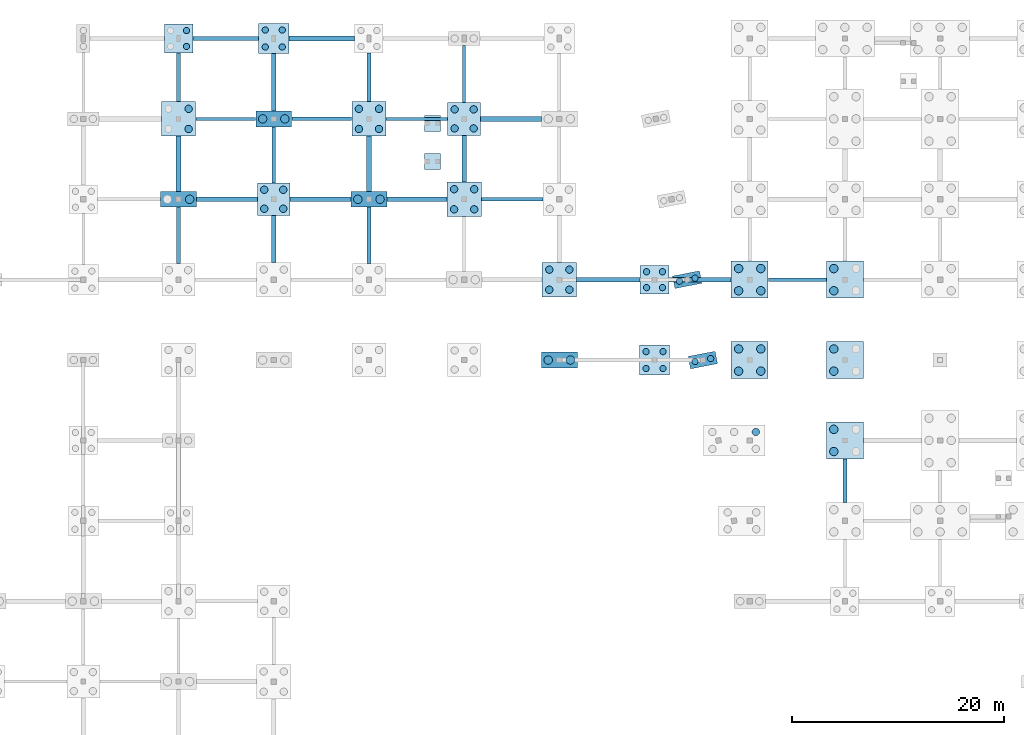
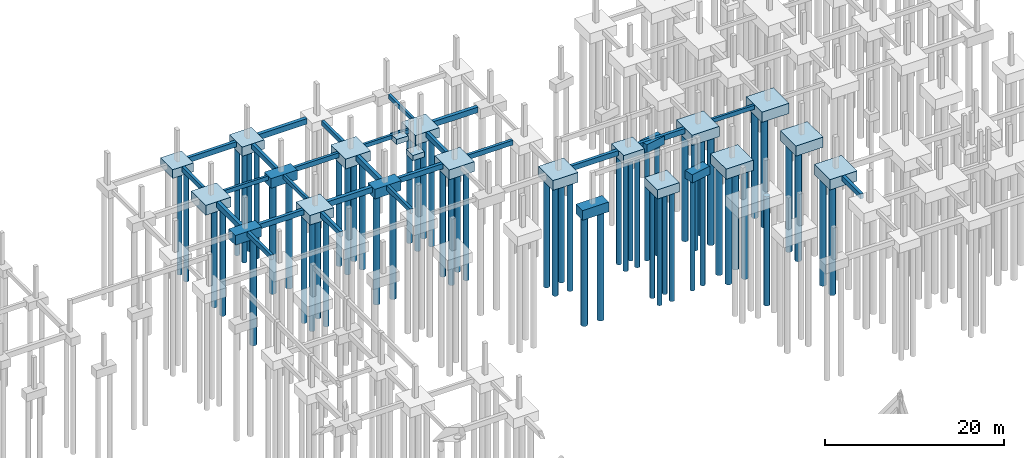
# One storey, part 8 of 28: 62 piles, 48 footings.
"""IFC4 building model written with IfcOpenShell, lengths in metres."""

import ifcopenshell
import ifcopenshell.guid

model = None  # the IFC model being written
_history = None  # IfcOwnerHistory: only IFC2X3 demands one
_inside = {}  # id of a spatial element -> (the spatial element, [elements in it])
_under = {}  # id of a project, library or spatial element -> (it, [spatial elements below it])
_declared = {}  # id of a project -> (the project, [libraries it declares])
_typed = {}  # id of a type object -> (the type object, [elements of that type])
_made_of = {}  # id of a material, layer set ... -> (it, [elements and type objects made of it])


def new_model(schema):
    """Start an empty IFC model of exactly this schema.

    Asked for "IFC4X3", IfcOpenShell would pick the latest addendum, in which some entities
    have other attributes; the version numbers below select the first issue.
    IFC2X3 requires an IfcOwnerHistory on every rooted entity: one is made here for all.
    """
    global model, _history
    if schema == "IFC4X3":
        model = ifcopenshell.file(schema_version=(4, 3, 0, 0))
    else:
        model = ifcopenshell.file(schema=schema)
    _inside.clear()
    _under.clear()
    _declared.clear()
    _typed.clear()
    _made_of.clear()
    _history = None
    if model.schema == "IFC2X3":
        org = make("IfcOrganization", Name="unknown")
        user = make(
            "IfcPersonAndOrganization",
            ThePerson=make("IfcPerson", FamilyName="unknown"),
            TheOrganization=org,
        )
        app = make(
            "IfcApplication",
            ApplicationDeveloper=org,
            Version="unknown",
            ApplicationFullName="unknown",
            ApplicationIdentifier="unknown",
        )
        _history = make(
            "IfcOwnerHistory",
            OwningUser=user,
            OwningApplication=app,
            ChangeAction="ADDED",
            CreationDate=0,
        )
    return model


def make(cls, **values):
    """One entity of the class cls with the attributes given. An attribute that is None is left unset."""
    return model.create_entity(
        cls, **{name: value for name, value in values.items() if value is not None}
    )


def rooted(cls, **values):
    """An entity with a GlobalId (a new one), such as an element, a storey or a relation."""
    return make(cls, GlobalId=ifcopenshell.guid.new(), OwnerHistory=_history, **values)


def si_unit(unit_type, name, prefix=None):
    """IfcSIUnit, for example si_unit("LENGTHUNIT", "METRE", prefix="MILLI")."""
    return make("IfcSIUnit", UnitType=unit_type, Prefix=prefix, Name=name)


def assignment(units):
    """IfcUnitAssignment: the units of a project."""
    return None if units is None else make("IfcUnitAssignment", Units=units)


def point(xyz):
    """IfcCartesianPoint."""
    return None if xyz is None else make("IfcCartesianPoint", Coordinates=xyz)


def direction(xyz):
    """IfcDirection."""
    return None if xyz is None else make("IfcDirection", DirectionRatios=xyz)


def frame(location, z_axis=None, x_axis=None):
    """IfcAxis2Placement3D, a coordinate frame: its origin and axes. An axis left out is left unset."""
    return make(
        "IfcAxis2Placement3D",
        Location=point(location),
        Axis=direction(z_axis),
        RefDirection=direction(x_axis),
    )


def frame_2d(location, x_axis=None):
    """IfcAxis2Placement2D, a coordinate frame in the plane: its origin and x axis."""
    return make(
        "IfcAxis2Placement2D", Location=point(location), RefDirection=direction(x_axis)
    )


def origin():
    """The frame at (0, 0, 0) with its axes left unset."""
    return frame((0.0, 0.0, 0.0))


def origin_2d():
    """The frame at (0, 0) in the plane with its x axis left unset."""
    return frame_2d((0.0, 0.0))


def place(relative_to, where):
    """IfcLocalPlacement: puts the frame where relative to a parent placement (None: the world)."""
    return make(
        "IfcLocalPlacement", PlacementRelTo=relative_to, RelativePlacement=where
    )


def context(
    kind, dimensions, precision=None, world=None, true_north=None, identifier=None
):
    """IfcGeometricRepresentationContext, for example the 3D "Model" context."""
    return make(
        "IfcGeometricRepresentationContext",
        ContextIdentifier=identifier,
        ContextType=kind,
        CoordinateSpaceDimension=dimensions,
        Precision=precision,
        WorldCoordinateSystem=world,
        TrueNorth=true_north,
    )


def subcontext(parent, identifier, kind, view, scale=None):
    """IfcGeometricRepresentationSubContext, for example "Body" below "Model"."""
    return make(
        "IfcGeometricRepresentationSubContext",
        ContextIdentifier=identifier,
        ContextType=kind,
        ParentContext=parent,
        TargetScale=scale,
        TargetView=view,
    )


def project(units=None, contexts=None):
    """IfcProject with its units and contexts."""
    return rooted(
        "IfcProject",
        Name="project",
        RepresentationContexts=contexts,
        UnitsInContext=assignment(units),
    )


def spatial(cls, under=None, at=None, **own):
    """A site, building, storey or space (cls), placed at a placement, below another one or the project."""
    s = rooted(cls, ObjectPlacement=at, **own)
    if under is not None:
        _under.setdefault(under.id(), (under, []))[1].append(s)
    return s


def profile(cls, at=None, kind="AREA", **sizes):
    """A parametric profile (cls). Its sizes go by their IFC names, for example OverallWidth=200.0."""
    return make(cls, ProfileType=kind, Position=at, **sizes)


def rectangle(**sizes):
    """IfcRectangleProfileDef."""
    return profile("IfcRectangleProfileDef", **sizes)


def circle(**sizes):
    """IfcCircleProfileDef."""
    return profile("IfcCircleProfileDef", **sizes)


def extrude(swept, where, along, depth):
    """IfcExtrudedAreaSolid: the profile swept, set in the frame where, extruded along a direction by depth."""
    return make(
        "IfcExtrudedAreaSolid",
        SweptArea=swept,
        Position=where,
        ExtrudedDirection=direction(along),
        Depth=depth,
    )


def shape(context_of_items, identifier, shape_type, items):
    """IfcShapeRepresentation: the items that make up one representation, for example the "Body"."""
    return make(
        "IfcShapeRepresentation",
        ContextOfItems=context_of_items,
        RepresentationIdentifier=identifier,
        RepresentationType=shape_type,
        Items=items,
    )


def material(Name=None, Category=None):
    """IfcMaterial."""
    return make("IfcMaterial", Name=Name, Category=Category)


def layer(
    of_material, thickness, ventilated=None, Name=None, Category=None, Priority=None
):
    """IfcMaterialLayer: one layer of a wall or slab, of a material (None: an air gap)."""
    return make(
        "IfcMaterialLayer",
        Material=of_material,
        LayerThickness=thickness,
        IsVentilated=ventilated,
        Name=Name,
        Category=Category,
        Priority=Priority,
    )


def layer_set(layers, Name=None):
    """IfcMaterialLayerSet."""
    return make("IfcMaterialLayerSet", MaterialLayers=layers, LayerSetName=Name)


def material_profile(
    of_material, cross_section, Name=None, Category=None, Priority=None
):
    """IfcMaterialProfile: a cross section and its material."""
    return make(
        "IfcMaterialProfile",
        Name=Name,
        Material=of_material,
        Profile=cross_section,
        Priority=Priority,
        Category=Category,
    )


def profile_set(profiles, Name=None, composite=None):
    """IfcMaterialProfileSet."""
    return make(
        "IfcMaterialProfileSet",
        Name=Name,
        MaterialProfiles=profiles,
        CompositeProfile=composite,
    )


def made_of(thing, what):
    """Note that an element or type object is made of a material, layer set ...; save() writes the relation."""
    if what is not None:
        _made_of.setdefault(what.id(), (what, []))[1].append(thing)
    return thing


def type_object(cls, material=None, **own):
    """A type object (cls), such as IfcWallType, which elements share."""
    return made_of(rooted(cls, **own), material)


def element(
    cls,
    number,
    at=None,
    inside=None,
    cuts=None,
    type_object=None,
    material=None,
    context=None,
    identifier="Body",
    shape_type=None,
    held_by="IfcProductDefinitionShape",
    body=None,
    shapes=None,
    **own,
):
    """One element of the class cls, such as IfcWall. Its Tag is "e" and its number.

    at: its placement. inside: the storey or other place that contains it. cuts: it is an
    opening in that element (IfcRelVoidsElement). A single representation is given by context,
    identifier, shape_type and body (its items); several are given by shapes. held_by: the class
    of the entity that holds the representations. save() writes the other relations.
    """
    e = rooted(cls, Tag="e%d" % number, ObjectPlacement=at, **own)
    if body is not None:
        shapes = [shape(context, identifier, shape_type, body)]
    if shapes is not None:
        e.Representation = make(held_by, Representations=shapes)
    if inside is not None:
        _inside.setdefault(inside.id(), (inside, []))[1].append(e)
    if cuts is not None:
        rooted(
            "IfcRelVoidsElement", RelatingBuildingElement=cuts, RelatedOpeningElement=e
        )
    if type_object is not None:
        _typed.setdefault(type_object.id(), (type_object, []))[1].append(e)
    return made_of(e, material)


def aggregate(whole, parts):
    """IfcRelAggregates: a whole, such as a stair, and the parts it consists of."""
    return rooted("IfcRelAggregates", RelatingObject=whole, RelatedObjects=parts)


def save(model, path):
    """Write the relations noted so far, then the file.

    IfcRelAggregates (storeys below a building ...), IfcRelContainedInSpatialStructure (elements
    in a storey), IfcRelDefinesByType, IfcRelAssociatesMaterial and IfcRelDeclares: one each for
    every whole, place, type object, material and project.
    """
    for whole, parts in _under.values():
        aggregate(whole, parts)
    for where, things in _inside.values():
        rooted(
            "IfcRelContainedInSpatialStructure",
            RelatedElements=things,
            RelatingStructure=where,
        )
    for kind, things in _typed.values():
        rooted("IfcRelDefinesByType", RelatedObjects=things, RelatingType=kind)
    for what, things in _made_of.values():
        rooted("IfcRelAssociatesMaterial", RelatedObjects=things, RelatingMaterial=what)
    for by, libraries in _declared.values():
        rooted("IfcRelDeclares", RelatingContext=by, RelatedDefinitions=libraries)
    model.write(path)


model = new_model("IFC4")

# Units and contexts
model_context = context("Model", 3, precision=1e-05, world=origin(), true_north=direction((0.0, 1.0)))
body_context = subcontext(model_context, "Body", "Model", "MODEL_VIEW")
ifc_project = project(units=[si_unit("LENGTHUNIT", "METRE"), si_unit("AREAUNIT", "SQUARE_METRE"), si_unit("VOLUMEUNIT", "CUBIC_METRE"), si_unit("PLANEANGLEUNIT", "RADIAN"), si_unit("MASSUNIT", "GRAM", prefix="KILO")], contexts=[model_context])

# Site, building, storey
site_placement = place(None, origin())
site = spatial("IfcSite", under=ifc_project, at=site_placement, CompositionType="ELEMENT")
building_placement = place(site_placement, origin())
building = spatial("IfcBuilding", under=site, at=building_placement, Name="Caisbarro Railhouse Central Library", CompositionType="ELEMENT")
storey_placement = place(building_placement, frame((0.0, 0.0, -4.320068359375)))
storey = spatial("IfcBuildingStorey", under=building, at=storey_placement, Name="B01", CompositionType="ELEMENT", Elevation=-4.320068359375)

# Footings
ifc_material_1 = material(Name="Concrete C35", Category="concrete")
footing_type_1 = type_object("IfcFootingType", Name="FTG-FB01", PredefinedType="FOOTING_BEAM", material=ifc_material_1)
footing_1_placement = place(storey_placement, frame((63.0, 95.39990234375, -0.64990234375), z_axis=(0.0, 0.0, 1.0), x_axis=(0.0, 1.0, 0.0)))
element("IfcFooting", 1, at=footing_1_placement, inside=storey, type_object=footing_type_1, Name="FB01 ground tie beam 156", PredefinedType="FOOTING_BEAM", context=body_context, shape_type="SweptSolid", body=[
    extrude(rectangle(XDim=5.2958984375, YDim=0.35009765625, at=origin_2d()), origin(), (0.0, 0.0, 1.0), 0.64990234375),
])
footing_2_placement = place(storey_placement, frame((63.0, 110.33740234375, -0.64990234375), z_axis=(0.0, 0.0, 1.0), x_axis=(0.0, 1.0, 0.0)))
element("IfcFooting", 2, at=footing_2_placement, inside=storey, type_object=footing_type_1, Name="FB01 ground tie beam 160", PredefinedType="FOOTING_BEAM", context=body_context, shape_type="SweptSolid", body=[
    extrude(rectangle(XDim=4.62109375, YDim=0.35009765625, at=origin_2d()), origin(), (0.0, 0.0, 1.0), 0.64990234375),
])
footing_3_placement = place(storey_placement, frame((76.53759765625, 106.39990234375, -0.64990234375), z_axis=(0.0, 0.0, 1.0), x_axis=(1.0, 0.0, 0.0)))
element("IfcFooting", 3, at=footing_3_placement, inside=storey, type_object=footing_type_1, Name="FB01 ground tie beam 168", PredefinedType="FOOTING_BEAM", context=body_context, shape_type="SweptSolid", body=[
    extrude(rectangle(XDim=5.6708984375, YDim=0.35009765625, at=origin_2d()), origin(), (0.0, 0.0, 1.0), 0.64990234375),
])
footing_4_placement = place(storey_placement, frame((81.0, 95.39990234375, -0.64990234375), z_axis=(0.0, 0.0, 1.0), x_axis=(0.0, 1.0, 0.0)))
element("IfcFooting", 4, at=footing_4_placement, inside=storey, type_object=footing_type_1, Name="FB01 ground tie beam 172", PredefinedType="FOOTING_BEAM", context=body_context, shape_type="SweptSolid", body=[
    extrude(rectangle(XDim=5.2958984375, YDim=0.35009765625, at=origin_2d()), origin(), (0.0, 0.0, 1.0), 0.64990234375),
])
footing_5_placement = place(storey_placement, frame((81.0, 110.33740234375, -0.64990234375), z_axis=(0.0, 0.0, 1.0), x_axis=(0.0, 1.0, 0.0)))
element("IfcFooting", 5, at=footing_5_placement, inside=storey, type_object=footing_type_1, Name="FB01 ground tie beam 176", PredefinedType="FOOTING_BEAM", context=body_context, shape_type="SweptSolid", body=[
    extrude(rectangle(XDim=4.62109375, YDim=0.35009765625, at=origin_2d()), origin(), (0.0, 0.0, 1.0), 0.64990234375),
])
footing_6_placement = place(storey_placement, frame((94.53759765625, 98.800048828125, -0.64990234375), z_axis=(0.0, 0.0, 1.0), x_axis=(1.0, 0.0, 0.0)))
element("IfcFooting", 6, at=footing_6_placement, inside=storey, type_object=footing_type_1, Name="FB01 ground tie beam 180", PredefinedType="FOOTING_BEAM", context=body_context, shape_type="SweptSolid", body=[
    extrude(rectangle(XDim=5.821044921875, YDim=0.35009765625, at=origin_2d()), origin(), (0.0, 0.0, 1.0), 0.64990234375),
])
footing_type_2 = type_object("IfcFootingType", Name="FTG-FB02", PredefinedType="FOOTING_BEAM", material=ifc_material_1)
footing_7_placement = place(storey_placement, frame((67.574951171875, 98.800048828125, -0.69970703125), z_axis=(0.0, 0.0, 1.0), x_axis=(1.0, 0.0, 0.0)))
element("IfcFooting", 7, at=footing_7_placement, inside=storey, type_object=footing_type_2, Name="FB02 ground tie beam 157", PredefinedType="FOOTING_BEAM", context=body_context, shape_type="SweptSolid", body=[
    extrude(rectangle(XDim=5.74609375, YDim=0.39990234375, at=origin_2d()), origin(), (0.0, 0.0, 1.0), 0.699951171875),
])
footing_8_placement = place(storey_placement, frame((67.46240234375, 114.0, -0.69970703125), z_axis=(0.0, 0.0, 1.0), x_axis=(1.0, 0.0, 0.0)))
element("IfcFooting", 8, at=footing_8_placement, inside=storey, type_object=footing_type_2, Name="FB02 ground tie beam 161", PredefinedType="FOOTING_BEAM", context=body_context, shape_type="SweptSolid", body=[
    extrude(rectangle(XDim=6.220947265625, YDim=0.39990234375, at=origin_2d()), origin(), (0.0, 0.0, 1.0), 0.699951171875),
])
footing_9_placement = place(storey_placement, frame((72.0, 95.03759765625, -0.69970703125), z_axis=(0.0, 0.0, 1.0), x_axis=(0.0, 1.0, 0.0)))
element("IfcFooting", 9, at=footing_9_placement, inside=storey, type_object=footing_type_2, Name="FB02 ground tie beam 165", PredefinedType="FOOTING_BEAM", context=body_context, shape_type="SweptSolid", body=[
    extrude(rectangle(XDim=4.4208984375, YDim=0.39990234375, at=origin_2d()), origin(), (0.0, 0.0, 1.0), 0.699951171875),
])
footing_10_placement = place(storey_placement, frame((72.0, 109.862548828125, -0.69970703125), z_axis=(0.0, 0.0, 1.0), x_axis=(0.0, 1.0, 0.0)))
element("IfcFooting", 10, at=footing_10_placement, inside=storey, type_object=footing_type_2, Name="FB02 ground tie beam 169", PredefinedType="FOOTING_BEAM", context=body_context, shape_type="SweptSolid", body=[
    extrude(rectangle(XDim=5.4208984375, YDim=0.39990234375, at=origin_2d()), origin(), (0.0, 0.0, 1.0), 0.699951171875),
])
footing_11_placement = place(storey_placement, frame((85.53759765625, 98.800048828125, -0.69970703125), z_axis=(0.0, 0.0, 1.0), x_axis=(1.0, 0.0, 0.0)))
element("IfcFooting", 11, at=footing_11_placement, inside=storey, type_object=footing_type_2, Name="FB02 ground tie beam 173", PredefinedType="FOOTING_BEAM", context=body_context, shape_type="SweptSolid", body=[
    extrude(rectangle(XDim=5.6708984375, YDim=0.39990234375, at=origin_2d()), origin(), (0.0, 0.0, 1.0), 0.699951171875),
])
footing_12_placement = place(storey_placement, frame((90.0, 102.637451171875, -0.69970703125), z_axis=(0.0, 0.0, 1.0), x_axis=(0.0, 1.0, 0.0)))
element("IfcFooting", 12, at=footing_12_placement, inside=storey, type_object=footing_type_2, Name="FB02 ground tie beam 181", PredefinedType="FOOTING_BEAM", context=body_context, shape_type="SweptSolid", body=[
    extrude(rectangle(XDim=4.4208984375, YDim=0.39990234375, at=origin_2d()), origin(), (0.0, 0.0, 1.0), 0.699951171875),
])
footing_13_placement = place(storey_placement, frame((103.637451171875, 91.199951171875, -0.69970703125), z_axis=(0.0, 0.0, 1.0), x_axis=(1.0, 0.0, 0.0)))
element("IfcFooting", 13, at=footing_13_placement, inside=storey, type_object=footing_type_2, Name="FB02 ground tie beam 185", PredefinedType="FOOTING_BEAM", context=body_context, shape_type="SweptSolid", body=[
    extrude(rectangle(XDim=6.02099609375, YDim=0.39990234375, at=origin_2d()), origin(), (0.0, 0.0, 1.0), 0.699951171875),
])
footing_14_placement = place(storey_placement, frame((112.300048828125, 91.199951171875, -0.69970703125), z_axis=(0.0, 0.0, 1.0), x_axis=(1.0, 0.0, 0.0)))
element("IfcFooting", 14, at=footing_14_placement, inside=storey, type_object=footing_type_2, Name="FB02 ground tie beam 189", PredefinedType="FOOTING_BEAM", context=body_context, shape_type="SweptSolid", body=[
    extrude(rectangle(XDim=5.89599609375, YDim=0.39990234375, at=origin_2d()), origin(), (0.0, 0.0, 1.0), 0.699951171875),
])
footing_15_placement = place(storey_placement, frame((126.0, 72.199951171875, -0.69970703125), z_axis=(0.0, 0.0, 1.0), x_axis=(0.0, 1.0, 0.0)))
element("IfcFooting", 15, at=footing_15_placement, inside=storey, type_object=footing_type_2, Name="FB02 ground tie beam 201", PredefinedType="FOOTING_BEAM", context=body_context, shape_type="SweptSolid", body=[
    extrude(rectangle(XDim=4.095947265625, YDim=0.39990234375, at=origin_2d()), origin(), (0.0, 0.0, 1.0), 0.699951171875),
])
footing_type_3 = type_object("IfcFootingType", Name="FTG-FB03", PredefinedType="FOOTING_BEAM", material=ifc_material_1)
footing_16_placement = place(storey_placement, frame((63.0, 102.16259765625, -0.75), z_axis=(0.0, 0.0, 1.0), x_axis=(0.0, 1.0, 0.0)))
element("IfcFooting", 16, at=footing_16_placement, inside=storey, type_object=footing_type_3, Name="FB03 ground tie beam 158", PredefinedType="FOOTING_BEAM", context=body_context, shape_type="SweptSolid", body=[
    extrude(rectangle(XDim=5.220947265625, YDim=0.449951171875, at=origin_2d()), origin(), (0.0, 0.0, 1.0), 0.75),
])
footing_17_placement = place(storey_placement, frame((76.425048828125, 98.800048828125, -0.75), z_axis=(0.0, 0.0, 1.0), x_axis=(1.0, 0.0, 0.0)))
element("IfcFooting", 17, at=footing_17_placement, inside=storey, type_object=footing_type_3, Name="FB03 ground tie beam 166", PredefinedType="FOOTING_BEAM", context=body_context, shape_type="SweptSolid", body=[
    extrude(rectangle(XDim=5.74609375, YDim=0.449951171875, at=origin_2d()), origin(), (0.0, 0.0, 1.0), 0.75),
])
footing_18_placement = place(storey_placement, frame((76.53759765625, 114.0, -0.75), z_axis=(0.0, 0.0, 1.0), x_axis=(1.0, 0.0, 0.0)))
element("IfcFooting", 18, at=footing_18_placement, inside=storey, type_object=footing_type_3, Name="FB03 ground tie beam 170", PredefinedType="FOOTING_BEAM", context=body_context, shape_type="SweptSolid", body=[
    extrude(rectangle(XDim=6.220947265625, YDim=0.449951171875, at=origin_2d()), origin(), (0.0, 0.0, 1.0), 0.75),
])
footing_19_placement = place(storey_placement, frame((81.0, 102.16259765625, -0.75), z_axis=(0.0, 0.0, 1.0), x_axis=(0.0, 1.0, 0.0)))
element("IfcFooting", 19, at=footing_19_placement, inside=storey, type_object=footing_type_3, Name="FB03 ground tie beam 174", PredefinedType="FOOTING_BEAM", context=body_context, shape_type="SweptSolid", body=[
    extrude(rectangle(XDim=5.220947265625, YDim=0.449951171875, at=origin_2d()), origin(), (0.0, 0.0, 1.0), 0.75),
])
footing_20_placement = place(storey_placement, frame((94.425048828125, 106.39990234375, -0.75), z_axis=(0.0, 0.0, 1.0), x_axis=(1.0, 0.0, 0.0)))
element("IfcFooting", 20, at=footing_20_placement, inside=storey, type_object=footing_type_3, Name="FB03 ground tie beam 182", PredefinedType="FOOTING_BEAM", context=body_context, shape_type="SweptSolid", body=[
    extrude(rectangle(XDim=5.74609375, YDim=0.449951171875, at=origin_2d()), origin(), (0.0, 0.0, 1.0), 0.75),
])
footing_type_4 = type_object("IfcFootingType", Name="FTG-FB04", PredefinedType="FOOTING_BEAM", material=ifc_material_1)
footing_21_placement = place(storey_placement, frame((67.46240234375, 106.39990234375, -0.5498046875), z_axis=(0.0, 0.0, 1.0), x_axis=(1.0, 0.0, 0.0)))
element("IfcFooting", 21, at=footing_21_placement, inside=storey, type_object=footing_type_4, Name="FB04 ground tie beam 159", PredefinedType="FOOTING_BEAM", context=body_context, shape_type="SweptSolid", body=[
    extrude(rectangle(XDim=5.6708984375, YDim=0.300048828125, at=origin_2d()), origin(), (0.0, 0.0, 1.0), 0.550048828125),
])
footing_22_placement = place(storey_placement, frame((72.0, 103.0, -0.5498046875), z_axis=(0.0, 0.0, 1.0), x_axis=(0.0, 1.0, 0.0)))
element("IfcFooting", 22, at=footing_22_placement, inside=storey, type_object=footing_type_4, Name="FB04 ground tie beam 167", PredefinedType="FOOTING_BEAM", context=body_context, shape_type="SweptSolid", body=[
    extrude(rectangle(XDim=5.2958984375, YDim=0.300048828125, at=origin_2d()), origin(), (0.0, 0.0, 1.0), 0.550048828125),
])
footing_23_placement = place(storey_placement, frame((85.53759765625, 106.39990234375, -0.5498046875), z_axis=(0.0, 0.0, 1.0), x_axis=(1.0, 0.0, 0.0)))
element("IfcFooting", 23, at=footing_23_placement, inside=storey, type_object=footing_type_4, Name="FB04 ground tie beam 175", PredefinedType="FOOTING_BEAM", context=body_context, shape_type="SweptSolid", body=[
    extrude(rectangle(XDim=5.821044921875, YDim=0.300048828125, at=origin_2d()), origin(), (0.0, 0.0, 1.0), 0.550048828125),
])
footing_24_placement = place(storey_placement, frame((90.0, 110.637451171875, -0.5498046875), z_axis=(0.0, 0.0, 1.0), x_axis=(0.0, 1.0, 0.0)))
element("IfcFooting", 24, at=footing_24_placement, inside=storey, type_object=footing_type_4, Name="FB04 ground tie beam 183", PredefinedType="FOOTING_BEAM", context=body_context, shape_type="SweptSolid", body=[
    extrude(rectangle(XDim=5.37109375, YDim=0.300048828125, at=origin_2d()), origin(), (0.0, 0.0, 1.0), 0.550048828125),
])
footing_25_placement = place(storey_placement, frame((121.5, 91.199951171875, -0.5498046875), z_axis=(0.0, 0.0, 1.0), x_axis=(1.0, 0.0, 0.0)))
element("IfcFooting", 25, at=footing_25_placement, inside=storey, type_object=footing_type_4, Name="FB04 ground tie beam 191", PredefinedType="FOOTING_BEAM", context=body_context, shape_type="SweptSolid", body=[
    extrude(rectangle(XDim=5.49609375, YDim=0.300048828125, at=origin_2d()), origin(), (0.0, 0.0, 1.0), 0.550048828125),
])
ifc_material_2 = material(Name="Concrete C40", Category="concrete")
ifc_layer_1 = layer(ifc_material_2, 1.10009765625, Name="Concrete C40")
ifc_layer_set_1 = layer_set([ifc_layer_1], Name="Concrete C40")
footing_type_5 = type_object("IfcFootingType", Name="FTG-PC02", PredefinedType="PILE_CAP", material=ifc_layer_set_1)
for number, where, z_axis, x_axis, name in (
    (26, (111.091064453125, 91.199951171875, -1.10009765625), (0.0, 0.0, 1.0), (0.981627183448, 0.190808995377, 0.0), "PC02 pile cap (165)"),
    (27, (112.568115234375, 83.60009765625, -1.10009765625), (0.0, 0.0, 1.0), (0.981627183448, 0.190808995377, 0.0), "PC02 pile cap (166)"),
):
    element("IfcFooting", number, at=place(storey_placement, frame(where, z_axis=z_axis, x_axis=x_axis)), inside=storey, type_object=footing_type_5, Name=name, PredefinedType="PILE_CAP", context=body_context, shape_type="SweptSolid", body=[
        extrude(rectangle(XDim=2.60009765625, YDim=1.199951171875, at=origin_2d()), origin(), (0.0, 0.0, 1.0), 1.10009765625),
    ])
ifc_layer_2 = layer(ifc_material_2, 1.199951171875, Name="Concrete C40")
ifc_layer_set_2 = layer_set([ifc_layer_2], Name="Concrete C40")
footing_type_6 = type_object("IfcFootingType", Name="FTG-PC04", PredefinedType="PILE_CAP", material=ifc_layer_set_2)
for number, where, z_axis, x_axis, name in (
    (28, (63.0, 114.0, -1.19970703125), (0.0, 0.0, 1.0), (1.0, 0.0, 0.0), "PC04 pile cap (111)"),
    (29, (108.0, 91.199951171875, -1.19970703125), (0.0, 0.0, 1.0), (1.0, 0.0, 0.0), "PC04 pile cap (162)"),
):
    element("IfcFooting", number, at=place(storey_placement, frame(where, z_axis=z_axis, x_axis=x_axis)), inside=storey, type_object=footing_type_6, Name=name, PredefinedType="PILE_CAP", context=body_context, shape_type="SweptSolid", body=[
        extrude(rectangle(XDim=2.699951171875, YDim=2.699951171875, at=origin_2d()), origin(), (0.0, 0.0, 1.0), 1.199951171875),
    ])
ifc_layer_3 = layer(ifc_material_2, 1.300048828125, Name="Concrete C40")
ifc_layer_set_3 = layer_set([ifc_layer_3], Name="Concrete C40")
footing_type_7 = type_object("IfcFootingType", Name="FTG-PC06", PredefinedType="PILE_CAP", material=ifc_layer_set_3)
for number, where, z_axis, x_axis, name in (
    (30, (72.0, 98.800048828125, -1.2998046875), (0.0, 0.0, 1.0), (1.0, 0.0, 0.0), "PC06 pile cap (123)"),
    (31, (90.0, 106.39990234375, -1.2998046875), (0.0, 0.0, 1.0), (1.0, 0.0, 0.0), "PC06 pile cap (144)"),
):
    element("IfcFooting", number, at=place(storey_placement, frame(where, z_axis=z_axis, x_axis=x_axis)), inside=storey, type_object=footing_type_7, Name=name, PredefinedType="PILE_CAP", context=body_context, shape_type="SweptSolid", body=[
        extrude(rectangle(XDim=3.10009765625, YDim=3.10009765625, at=origin_2d()), origin(), (0.0, 0.0, 1.0), 1.300048828125),
    ])
ifc_layer_4 = layer(ifc_material_2, 1.320068359375, Name="Concrete C40")
ifc_layer_set_4 = layer_set([ifc_layer_4], Name="Concrete C40")
footing_type_8 = type_object("IfcFootingType", Name="FTG-PC07", PredefinedType="PILE_CAP", material=ifc_layer_set_4)
for number, where, z_axis, x_axis, name in (
    (32, (63.0, 98.800048828125, -1.31982421875), (0.0, 0.0, 1.0), (1.0, 0.0, 0.0), "PC07 pile cap (109)"),
    (33, (72.0, 106.39990234375, -1.31982421875), (0.0, 0.0, 1.0), (1.0, 0.0, 0.0), "PC07 pile cap (124)"),
    (34, (81.0, 98.800048828125, -1.31982421875), (0.0, 0.0, 1.0), (1.0, 0.0, 0.0), "PC07 pile cap (133)"),
    (35, (99.0, 83.60009765625, -1.31982421875), (0.0, 0.0, 1.0), (1.0, 0.0, 0.0), "PC07 pile cap (151)"),
):
    element("IfcFooting", number, at=place(storey_placement, frame(where, z_axis=z_axis, x_axis=x_axis)), inside=storey, type_object=footing_type_8, Name=name, PredefinedType="PILE_CAP", context=body_context, shape_type="SweptSolid", body=[
        extrude(rectangle(XDim=3.39990234375, YDim=1.5, at=origin_2d()), origin(), (0.0, 0.0, 1.0), 1.320068359375),
    ])
ifc_layer_5 = layer(ifc_material_2, 1.39990234375, Name="Concrete C40")
ifc_layer_set_5 = layer_set([ifc_layer_5], Name="Concrete C40")
footing_type_9 = type_object("IfcFootingType", Name="FTG-PC08", PredefinedType="PILE_CAP", material=ifc_layer_set_5)
for number, where, z_axis, x_axis, name in (
    (36, (117.0, 83.60009765625, -1.39990234375), (0.0, 0.0, 1.0), (1.0, 0.0, 0.0), "PC08 pile cap (172)"),
    (37, (117.0, 91.199951171875, -1.39990234375), (0.0, 0.0, 1.0), (1.0, 0.0, 0.0), "PC08 pile cap (173)"),
    (38, (126.0, 76.0, -1.39990234375), (0.0, 0.0, 1.0), (1.0, 0.0, 0.0), "PC08 pile cap (179)"),
    (39, (126.0, 83.60009765625, -1.39990234375), (0.0, 0.0, 1.0), (1.0, 0.0, 0.0), "PC08 pile cap (180)"),
    (40, (126.0, 91.199951171875, -1.39990234375), (0.0, 0.0, 1.0), (1.0, 0.0, 0.0), "PC08 pile cap (181)"),
):
    element("IfcFooting", number, at=place(storey_placement, frame(where, z_axis=z_axis, x_axis=x_axis)), inside=storey, type_object=footing_type_9, Name=name, PredefinedType="PILE_CAP", context=body_context, shape_type="SweptSolid", body=[
        extrude(rectangle(XDim=3.5, YDim=3.5, at=origin_2d()), origin(), (0.0, 0.0, 1.0), 1.39990234375),
    ])
ifc_layer_6 = layer(ifc_material_2, 1.25, Name="Concrete C40")
ifc_layer_set_6 = layer_set([ifc_layer_6], Name="Concrete C40")
footing_type_10 = type_object("IfcFootingType", Name="FTG-PC13", PredefinedType="PILE_CAP", material=ifc_layer_set_6)
for number, where, z_axis, x_axis, name in (
    (41, (72.0, 114.0, -1.25), (0.0, 0.0, 1.0), (1.0, 0.0, 0.0), "PC13 pile cap (125)"),
    (42, (108.0, 83.60009765625, -1.25), (0.0, 0.0, 1.0), (1.0, 0.0, 0.0), "PC13 pile cap (161)"),
):
    element("IfcFooting", number, at=place(storey_placement, frame(where, z_axis=z_axis, x_axis=x_axis)), inside=storey, type_object=footing_type_10, Name=name, PredefinedType="PILE_CAP", context=body_context, shape_type="SweptSolid", body=[
        extrude(rectangle(XDim=2.85009765625, YDim=2.85009765625, at=origin_2d()), origin(), (0.0, 0.0, 1.0), 1.25),
    ])
ifc_layer_7 = layer(ifc_material_2, 1.340087890625, Name="Concrete C40")
ifc_layer_set_7 = layer_set([ifc_layer_7], Name="Concrete C40")
footing_type_11 = type_object("IfcFootingType", Name="FTG-PC14", PredefinedType="PILE_CAP", material=ifc_layer_set_7)
for number, where, z_axis, x_axis, name in (
    (43, (63.0, 106.39990234375, -1.33984375), (0.0, 0.0, 1.0), (1.0, 0.0, 0.0), "PC14 pile cap (110)"),
    (44, (81.0, 106.39990234375, -1.33984375), (0.0, 0.0, 1.0), (1.0, 0.0, 0.0), "PC14 pile cap (134)"),
    (45, (90.0, 98.800048828125, -1.33984375), (0.0, 0.0, 1.0), (1.0, 0.0, 0.0), "PC14 pile cap (143)"),
    (46, (99.0, 91.199951171875, -1.33984375), (0.0, 0.0, 1.0), (1.0, 0.0, 0.0), "PC14 pile cap (152)"),
):
    element("IfcFooting", number, at=place(storey_placement, frame(where, z_axis=z_axis, x_axis=x_axis)), inside=storey, type_object=footing_type_11, Name=name, PredefinedType="PILE_CAP", context=body_context, shape_type="SweptSolid", body=[
        extrude(rectangle(XDim=3.25, YDim=3.25, at=origin_2d()), origin(), (0.0, 0.0, 1.0), 1.340087890625),
    ])
ifc_layer_8 = layer(ifc_material_2, 0.699951171875, Name="Concrete C40")
ifc_layer_set_8 = layer_set([ifc_layer_8], Name="Concrete C40")
footing_type_12 = type_object("IfcFootingType", Name="FTG-PF01", PredefinedType="PAD_FOOTING", material=ifc_layer_set_8)
for number, where, z_axis, x_axis, name in (
    (47, (87.0, 102.3701171875, -0.69970703125), (0.0, 0.0, 1.0), (1.0, 0.0, 0.0), "PF01 Stair Support Pad Footing K5 S"),
    (48, (87.0, 105.97998046875, -0.69970703125), (0.0, 0.0, 1.0), (1.0, 0.0, 0.0), "PF01 Stair Support Pad Footing K5 N"),
):
    element("IfcFooting", number, at=place(storey_placement, frame(where, z_axis=z_axis, x_axis=x_axis)), inside=storey, type_object=footing_type_12, Name=name, PredefinedType="PAD_FOOTING", context=body_context, shape_type="SweptSolid", body=[
        extrude(rectangle(XDim=1.5, YDim=1.5, at=origin_2d()), origin(), (0.0, 0.0, 1.0), 0.699951171875),
    ])

# Piles
ifc_material_profile_1 = material_profile(ifc_material_1, circle(Radius=0.300048828125, at=origin_2d()), Name="PILE-CFA-600")
ifc_profile_set_1 = profile_set([ifc_material_profile_1], Name="Concrete C35")
pile_type_1 = type_object("IfcPileType", Name="PILE-CFA600", PredefinedType="BORED", material=ifc_profile_set_1)
for number, where, z_axis, x_axis, name in (
    (49, (63.75, 113.25, -1.099853515625), (0.0, 0.0, -1.0), (1.0, 0.0, 0.0), "PL60 CFA bored pile 111.2"),
    (50, (63.75, 114.75, -1.099853515625), (0.0, 0.0, -1.0), (1.0, 0.0, 0.0), "PL60 CFA bored pile 111.4"),
):
    element("IfcPile", number, at=place(storey_placement, frame(where, z_axis=z_axis, x_axis=x_axis)), inside=storey, type_object=pile_type_1, Name=name, PredefinedType="BORED", context=body_context, shape_type="SweptSolid", body=[
        extrude(circle(Radius=0.300048828125, at=origin_2d()), origin(), (0.0, 0.0, 1.0), 15.080078125),
    ])
for number, where, z_axis, x_axis, name in (
    (51, (71.199951171875, 113.199951171875, -1.14990234375), (0.0, 0.0, -1.0), (1.0, 0.0, 0.0), "PL60 CFA bored pile 125.1"),
    (52, (72.800048828125, 113.199951171875, -1.14990234375), (0.0, 0.0, -1.0), (1.0, 0.0, 0.0), "PL60 CFA bored pile 125.2"),
    (53, (71.199951171875, 114.800048828125, -1.14990234375), (0.0, 0.0, -1.0), (1.0, 0.0, 0.0), "PL60 CFA bored pile 125.3"),
    (54, (72.800048828125, 114.800048828125, -1.14990234375), (0.0, 0.0, -1.0), (1.0, 0.0, 0.0), "PL60 CFA bored pile 125.4"),
    (55, (107.199951171875, 82.800048828125, -1.14990234375), (0.0, 0.0, -1.0), (1.0, 0.0, 0.0), "PL60 CFA bored pile 161.1"),
    (56, (108.800048828125, 82.800048828125, -1.14990234375), (0.0, 0.0, -1.0), (1.0, 0.0, 0.0), "PL60 CFA bored pile 161.2"),
    (57, (107.199951171875, 84.39990234375, -1.14990234375), (0.0, 0.0, -1.0), (1.0, 0.0, 0.0), "PL60 CFA bored pile 161.3"),
    (58, (108.800048828125, 84.39990234375, -1.14990234375), (0.0, 0.0, -1.0), (1.0, 0.0, 0.0), "PL60 CFA bored pile 161.4"),
):
    element("IfcPile", number, at=place(storey_placement, frame(where, z_axis=z_axis, x_axis=x_axis)), inside=storey, type_object=pile_type_1, Name=name, PredefinedType="BORED", context=body_context, shape_type="SweptSolid", body=[
        extrude(circle(Radius=0.300048828125, at=origin_2d()), origin(), (0.0, 0.0, 1.0), 15.030029296875),
    ])
for number, where, z_axis, x_axis, name in (
    (59, (107.25, 90.449951171875, -1.099853515625), (0.0, 0.0, -1.0), (1.0, 0.0, 0.0), "PL60 CFA bored pile 162.1"),
    (60, (108.75, 90.449951171875, -1.099853515625), (0.0, 0.0, -1.0), (1.0, 0.0, 0.0), "PL60 CFA bored pile 162.2"),
    (61, (107.25, 91.949951171875, -1.099853515625), (0.0, 0.0, -1.0), (1.0, 0.0, 0.0), "PL60 CFA bored pile 162.3"),
    (62, (108.75, 91.949951171875, -1.099853515625), (0.0, 0.0, -1.0), (1.0, 0.0, 0.0), "PL60 CFA bored pile 162.4"),
):
    element("IfcPile", number, at=place(storey_placement, frame(where, z_axis=z_axis, x_axis=x_axis)), inside=storey, type_object=pile_type_1, Name=name, PredefinedType="BORED", context=body_context, shape_type="SweptSolid", body=[
        extrude(circle(Radius=0.300048828125, at=origin_2d()), origin(), (0.0, 0.0, 1.0), 15.080078125),
    ])
for number, where, z_axis, x_axis, name in (
    (63, (110.354736328125, 91.056884765625, -1.0), (0.0, 0.0, -1.0), (1.0, 0.0, 0.0), "PL60 CFA bored pile 165.1"),
    (64, (111.8271484375, 91.343017578125, -1.0), (0.0, 0.0, -1.0), (1.0, 0.0, 0.0), "PL60 CFA bored pile 165.2"),
    (65, (111.831787109375, 83.456787109375, -1.0), (0.0, 0.0, -1.0), (1.0, 0.0, 0.0), "PL60 CFA bored pile 166.1"),
    (66, (113.30419921875, 83.7431640625, -1.0), (0.0, 0.0, -1.0), (1.0, 0.0, 0.0), "PL60 CFA bored pile 166.2"),
):
    element("IfcPile", number, at=place(storey_placement, frame(where, z_axis=z_axis, x_axis=x_axis)), inside=storey, type_object=pile_type_1, Name=name, PredefinedType="BORED", context=body_context, shape_type="SweptSolid", body=[
        extrude(circle(Radius=0.300048828125, at=origin_2d()), origin(), (0.0, 0.0, 1.0), 15.179931640625),
    ])
ifc_material_profile_2 = material_profile(ifc_material_1, circle(Radius=0.35009765625, at=origin_2d()), Name="PILE-CFA-700")
ifc_profile_set_2 = profile_set([ifc_material_profile_2], Name="Concrete C35")
pile_type_2 = type_object("IfcPileType", Name="PILE-CFA700", PredefinedType="BORED", material=ifc_profile_set_2)
for number, where, z_axis, x_axis, name in (
    (67, (63.949951171875, 105.449951171875, -1.239990234375), (0.0, 0.0, -1.0), (1.0, 0.0, 0.0), "PL70 CFA bored pile 110.2"),
    (68, (63.949951171875, 107.35009765625, -1.239990234375), (0.0, 0.0, -1.0), (1.0, 0.0, 0.0), "PL70 CFA bored pile 110.4"),
):
    element("IfcPile", number, at=place(storey_placement, frame(where, z_axis=z_axis, x_axis=x_axis)), inside=storey, type_object=pile_type_2, Name=name, PredefinedType="BORED", context=body_context, shape_type="SweptSolid", body=[
        extrude(circle(Radius=0.35009765625, at=origin_2d()), origin(), (0.0, 0.0, 1.0), 14.93994140625),
    ])
for number, where, z_axis, x_axis, name in (
    (69, (71.10009765625, 97.89990234375, -1.199951171875), (0.0, 0.0, -1.0), (1.0, 0.0, 0.0), "PL70 CFA bored pile 123.1"),
    (70, (72.89990234375, 97.89990234375, -1.199951171875), (0.0, 0.0, -1.0), (1.0, 0.0, 0.0), "PL70 CFA bored pile 123.2"),
    (71, (71.10009765625, 99.699951171875, -1.199951171875), (0.0, 0.0, -1.0), (1.0, 0.0, 0.0), "PL70 CFA bored pile 123.3"),
    (72, (72.89990234375, 99.699951171875, -1.199951171875), (0.0, 0.0, -1.0), (1.0, 0.0, 0.0), "PL70 CFA bored pile 123.4"),
):
    element("IfcPile", number, at=place(storey_placement, frame(where, z_axis=z_axis, x_axis=x_axis)), inside=storey, type_object=pile_type_2, Name=name, PredefinedType="BORED", context=body_context, shape_type="SweptSolid", body=[
        extrude(circle(Radius=0.35009765625, at=origin_2d()), origin(), (0.0, 0.0, 1.0), 14.97998046875),
    ])
for number, where, z_axis, x_axis, name in (
    (73, (80.050048828125, 105.449951171875, -1.239990234375), (0.0, 0.0, -1.0), (1.0, 0.0, 0.0), "PL70 CFA bored pile 134.1"),
    (74, (81.949951171875, 105.449951171875, -1.239990234375), (0.0, 0.0, -1.0), (1.0, 0.0, 0.0), "PL70 CFA bored pile 134.2"),
    (75, (80.050048828125, 107.35009765625, -1.239990234375), (0.0, 0.0, -1.0), (1.0, 0.0, 0.0), "PL70 CFA bored pile 134.3"),
    (76, (81.949951171875, 107.35009765625, -1.239990234375), (0.0, 0.0, -1.0), (1.0, 0.0, 0.0), "PL70 CFA bored pile 134.4"),
    (77, (89.050048828125, 97.85009765625, -1.239990234375), (0.0, 0.0, -1.0), (1.0, 0.0, 0.0), "PL70 CFA bored pile 143.1"),
    (78, (90.949951171875, 97.85009765625, -1.239990234375), (0.0, 0.0, -1.0), (1.0, 0.0, 0.0), "PL70 CFA bored pile 143.2"),
    (79, (89.050048828125, 99.75, -1.239990234375), (0.0, 0.0, -1.0), (1.0, 0.0, 0.0), "PL70 CFA bored pile 143.3"),
    (80, (90.949951171875, 99.75, -1.239990234375), (0.0, 0.0, -1.0), (1.0, 0.0, 0.0), "PL70 CFA bored pile 143.4"),
):
    element("IfcPile", number, at=place(storey_placement, frame(where, z_axis=z_axis, x_axis=x_axis)), inside=storey, type_object=pile_type_2, Name=name, PredefinedType="BORED", context=body_context, shape_type="SweptSolid", body=[
        extrude(circle(Radius=0.35009765625, at=origin_2d()), origin(), (0.0, 0.0, 1.0), 14.93994140625),
    ])
for number, where, z_axis, x_axis, name in (
    (81, (89.10009765625, 105.5, -1.199951171875), (0.0, 0.0, -1.0), (1.0, 0.0, 0.0), "PL70 CFA bored pile 144.1"),
    (82, (90.89990234375, 105.5, -1.199951171875), (0.0, 0.0, -1.0), (1.0, 0.0, 0.0), "PL70 CFA bored pile 144.2"),
    (83, (89.10009765625, 107.300048828125, -1.199951171875), (0.0, 0.0, -1.0), (1.0, 0.0, 0.0), "PL70 CFA bored pile 144.3"),
    (84, (90.89990234375, 107.300048828125, -1.199951171875), (0.0, 0.0, -1.0), (1.0, 0.0, 0.0), "PL70 CFA bored pile 144.4"),
):
    element("IfcPile", number, at=place(storey_placement, frame(where, z_axis=z_axis, x_axis=x_axis)), inside=storey, type_object=pile_type_2, Name=name, PredefinedType="BORED", context=body_context, shape_type="SweptSolid", body=[
        extrude(circle(Radius=0.35009765625, at=origin_2d()), origin(), (0.0, 0.0, 1.0), 14.97998046875),
    ])
for number, where, z_axis, x_axis, name in (
    (85, (98.050048828125, 90.25, -1.239990234375), (0.0, 0.0, -1.0), (1.0, 0.0, 0.0), "PL70 CFA bored pile 152.1"),
    (86, (99.949951171875, 90.25, -1.239990234375), (0.0, 0.0, -1.0), (1.0, 0.0, 0.0), "PL70 CFA bored pile 152.2"),
    (87, (98.050048828125, 92.14990234375, -1.239990234375), (0.0, 0.0, -1.0), (1.0, 0.0, 0.0), "PL70 CFA bored pile 152.3"),
    (88, (99.949951171875, 92.14990234375, -1.239990234375), (0.0, 0.0, -1.0), (1.0, 0.0, 0.0), "PL70 CFA bored pile 152.4"),
):
    element("IfcPile", number, at=place(storey_placement, frame(where, z_axis=z_axis, x_axis=x_axis)), inside=storey, type_object=pile_type_2, Name=name, PredefinedType="BORED", context=body_context, shape_type="SweptSolid", body=[
        extrude(circle(Radius=0.35009765625, at=origin_2d()), origin(), (0.0, 0.0, 1.0), 14.93994140625),
    ])
pile_placement = place(storey_placement, frame((117.572509765625, 76.800048828125, -1.280029296875), z_axis=(0.0, 0.0, -1.0), x_axis=(1.0, 0.0, 0.0)))
element("IfcPile", 89, at=pile_placement, inside=storey, type_object=pile_type_2, Name="PL70 CFA bored pile 167.6", PredefinedType="BORED", context=body_context, shape_type="SweptSolid", body=[
    extrude(circle(Radius=0.35009765625, at=origin_2d()), origin(), (0.0, 0.0, 1.0), 14.89990234375),
])
ifc_material_profile_3 = material_profile(ifc_material_1, circle(Radius=0.39990234375, at=origin_2d()), Name="PILE-CFA-800")
ifc_profile_set_3 = profile_set([ifc_material_profile_3], Name="Concrete C35")
pile_type_3 = type_object("IfcPileType", Name="PILE-CFA800", PredefinedType="BORED", material=ifc_profile_set_3)
for number, where, z_axis, x_axis, name in (
    (90, (64.050048828125, 98.800048828125, -1.219970703125), (0.0, 0.0, -1.0), (1.0, 0.0, 0.0), "PL80 CFA bored pile 109.2"),
    (91, (70.949951171875, 106.39990234375, -1.219970703125), (0.0, 0.0, -1.0), (1.0, 0.0, 0.0), "PL80 CFA bored pile 124.1"),
    (92, (73.050048828125, 106.39990234375, -1.219970703125), (0.0, 0.0, -1.0), (1.0, 0.0, 0.0), "PL80 CFA bored pile 124.2"),
    (93, (79.949951171875, 98.800048828125, -1.219970703125), (0.0, 0.0, -1.0), (1.0, 0.0, 0.0), "PL80 CFA bored pile 133.1"),
    (94, (82.050048828125, 98.800048828125, -1.219970703125), (0.0, 0.0, -1.0), (1.0, 0.0, 0.0), "PL80 CFA bored pile 133.2"),
    (95, (97.949951171875, 83.60009765625, -1.219970703125), (0.0, 0.0, -1.0), (1.0, 0.0, 0.0), "PL80 CFA bored pile 151.1"),
    (96, (100.050048828125, 83.60009765625, -1.219970703125), (0.0, 0.0, -1.0), (1.0, 0.0, 0.0), "PL80 CFA bored pile 151.2"),
):
    element("IfcPile", number, at=place(storey_placement, frame(where, z_axis=z_axis, x_axis=x_axis)), inside=storey, type_object=pile_type_3, Name=name, PredefinedType="BORED", context=body_context, shape_type="SweptSolid", body=[
        extrude(circle(Radius=0.39990234375, at=origin_2d()), origin(), (0.0, 0.0, 1.0), 14.9599609375),
    ])
for number, where, z_axis, x_axis, name in (
    (97, (115.949951171875, 82.550048828125, -1.300048828125), (0.0, 0.0, -1.0), (1.0, 0.0, 0.0), "PL80 CFA bored pile 172.1"),
    (98, (118.050048828125, 82.550048828125, -1.300048828125), (0.0, 0.0, -1.0), (1.0, 0.0, 0.0), "PL80 CFA bored pile 172.2"),
    (99, (115.949951171875, 84.64990234375, -1.300048828125), (0.0, 0.0, -1.0), (1.0, 0.0, 0.0), "PL80 CFA bored pile 172.3"),
    (100, (118.050048828125, 84.64990234375, -1.300048828125), (0.0, 0.0, -1.0), (1.0, 0.0, 0.0), "PL80 CFA bored pile 172.4"),
    (101, (115.949951171875, 90.14990234375, -1.300048828125), (0.0, 0.0, -1.0), (1.0, 0.0, 0.0), "PL80 CFA bored pile 173.1"),
    (102, (118.050048828125, 90.14990234375, -1.300048828125), (0.0, 0.0, -1.0), (1.0, 0.0, 0.0), "PL80 CFA bored pile 173.2"),
    (103, (115.949951171875, 92.25, -1.300048828125), (0.0, 0.0, -1.0), (1.0, 0.0, 0.0), "PL80 CFA bored pile 173.3"),
    (104, (118.050048828125, 92.25, -1.300048828125), (0.0, 0.0, -1.0), (1.0, 0.0, 0.0), "PL80 CFA bored pile 173.4"),
    (105, (124.949951171875, 74.949951171875, -1.300048828125), (0.0, 0.0, -1.0), (1.0, 0.0, 0.0), "PL80 CFA bored pile 179.1"),
    (106, (124.949951171875, 77.050048828125, -1.300048828125), (0.0, 0.0, -1.0), (1.0, 0.0, 0.0), "PL80 CFA bored pile 179.3"),
    (107, (124.949951171875, 82.550048828125, -1.300048828125), (0.0, 0.0, -1.0), (1.0, 0.0, 0.0), "PL80 CFA bored pile 180.1"),
    (108, (124.949951171875, 84.64990234375, -1.300048828125), (0.0, 0.0, -1.0), (1.0, 0.0, 0.0), "PL80 CFA bored pile 180.3"),
    (109, (124.949951171875, 90.14990234375, -1.300048828125), (0.0, 0.0, -1.0), (1.0, 0.0, 0.0), "PL80 CFA bored pile 181.1"),
    (110, (124.949951171875, 92.25, -1.300048828125), (0.0, 0.0, -1.0), (1.0, 0.0, 0.0), "PL80 CFA bored pile 181.3"),
):
    element("IfcPile", number, at=place(storey_placement, frame(where, z_axis=z_axis, x_axis=x_axis)), inside=storey, type_object=pile_type_3, Name=name, PredefinedType="BORED", context=body_context, shape_type="SweptSolid", body=[
        extrude(circle(Radius=0.39990234375, at=origin_2d()), origin(), (0.0, 0.0, 1.0), 14.8798828125),
    ])

save(model, "model.ifc")
